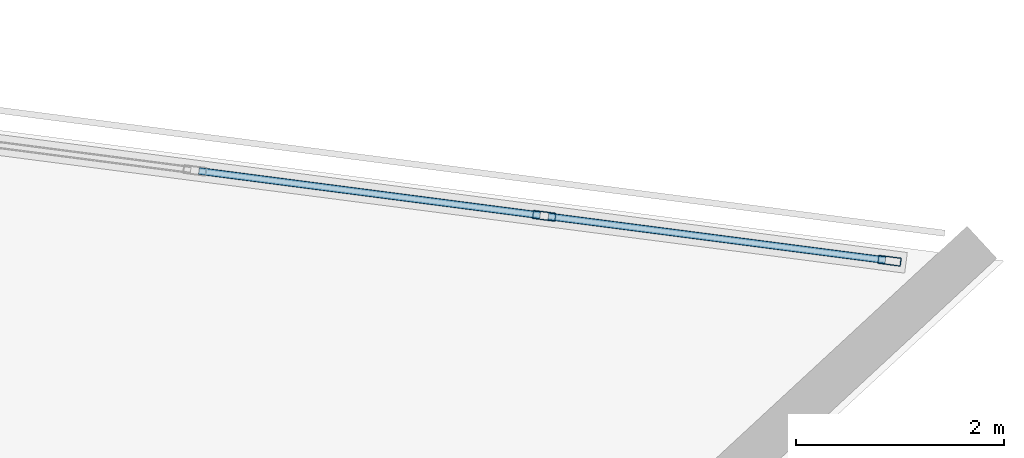
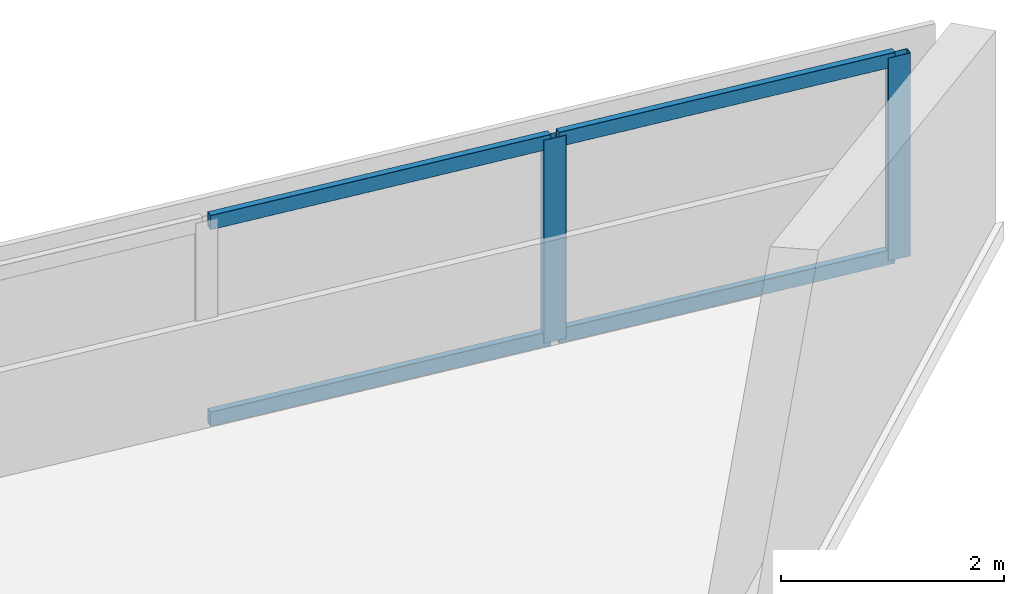
# One storey, part 7 of 12: 6 members, 1 element without a shape of its own.
"""IFC4 building model written with IfcOpenShell, lengths in metres."""

from ifc_helpers import new_model, si_unit, direction, frame, origin, origin_2d, place, context, subcontext, project, spatial, hollow_rectangle, extrude, material, material_profile, profile_set, type_object, element, aggregate, save


model = new_model("IFC4")

# Units and contexts
model_context = context("Model", 3, precision=1e-05, world=origin(), true_north=direction((0.0, 1.0)))
body_context = subcontext(model_context, "Body", "Model", "MODEL_VIEW")
ifc_project = project(units=[si_unit("LENGTHUNIT", "METRE"), si_unit("AREAUNIT", "SQUARE_METRE"), si_unit("VOLUMEUNIT", "CUBIC_METRE"), si_unit("PLANEANGLEUNIT", "RADIAN"), si_unit("MASSUNIT", "GRAM", prefix="KILO")], contexts=[model_context])

# Site, building, storey
site_placement = place(None, origin())
site = spatial("IfcSite", under=ifc_project, at=site_placement, CompositionType="ELEMENT")
building_placement = place(site_placement, origin())
building = spatial("IfcBuilding", under=site, at=building_placement, Name="Narakoshi Arena Tower", CompositionType="ELEMENT")
storey_placement = place(building_placement, frame((0.0, 0.0, 307.780029296875)))
storey = spatial("IfcBuildingStorey", under=building, at=storey_placement, Name="L83", CompositionType="ELEMENT", Elevation=307.780029296875)

# Curtain wall, members
ifc_material = material(Name="Anodised bronze aluminium 6063-T6", Category="aluminium")
curtain_wall_type = type_object("IfcCurtainWallType", Name="CW-CRN-FACET", PredefinedType="NOTDEFINED", material=ifc_material)
curtain_wall_placement = place(storey_placement, origin())
curtain_wall = element("IfcCurtainWall", 1, at=curtain_wall_placement, inside=storey, type_object=curtain_wall_type, Name="L83 Slanted-Cut Crown Curtain Wall 8-1", PredefinedType="NOTDEFINED")
ifc_material_profile_1 = material_profile(ifc_material, hollow_rectangle(XDim=0.080078125, YDim=0.219970703125, WallThickness=0.0048828125, OuterFilletRadius=0.006103515625, at=origin_2d()), Name="MUL220x80x5")
ifc_profile_set_1 = profile_set([ifc_material_profile_1], Name="Anodised bronze aluminium 6063-T6")
member_type_1 = type_object("IfcMemberType", Name="MEM-MUL-220", PredefinedType="MULLION", material=ifc_profile_set_1)
member_1_placement = place(storey_placement, frame((106.801025390625, 60.939697265625, 0.0), z_axis=(0.0, 0.0, 1.0), x_axis=(0.128889528611, 0.991658958218, 0.0)))
member_1 = element("IfcMember", 2, at=member_1_placement, type_object=member_type_1, Name="CW-06 mullion 7", PredefinedType="MULLION", context=body_context, shape_type="SweptSolid", body=[
    extrude(hollow_rectangle(XDim=0.080078125, YDim=0.219970703125, WallThickness=0.0048828125, OuterFilletRadius=0.006103515625, at=origin_2d()), origin(), (0.0, 0.0, 1.0), 2.2216796875),
])
member_2_placement = place(storey_placement, frame((110.116455078125, 60.5087890625, 0.0), z_axis=(0.0, 0.0, 1.0), x_axis=(0.128889528611, 0.991658958218, 0.0)))
member_2 = element("IfcMember", 3, at=member_2_placement, type_object=member_type_1, Name="CW-06 mullion 8", PredefinedType="MULLION", context=body_context, shape_type="SweptSolid", body=[
    extrude(hollow_rectangle(XDim=0.080078125, YDim=0.219970703125, WallThickness=0.0048828125, OuterFilletRadius=0.006103515625, at=origin_2d()), origin(), (0.0, 0.0, 1.0), 2.2216796875),
])
ifc_material_profile_2 = material_profile(ifc_material, hollow_rectangle(XDim=0.070068359375, YDim=0.159912109375, WallThickness=0.00390625, OuterFilletRadius=0.0048828125, at=origin_2d()), Name="TRN160x70x4")
ifc_profile_set_2 = profile_set([ifc_material_profile_2], Name="Anodised bronze aluminium 6063-T6")
member_type_2 = type_object("IfcMemberType", Name="MEM-TRN-160", PredefinedType="USERDEFINED", material=ifc_profile_set_2)
member_3_placement = place(storey_placement, frame((103.485595703125, 61.37060546875, 0.034912109375), z_axis=(0.99165760145, -0.128899966977, 0.0), x_axis=(0.128899966977, 0.99165760145, 0.0)))
member_3 = element("IfcMember", 4, at=member_3_placement, type_object=member_type_2, Name="CW-06 transom 6.1", ObjectType="TRANSOM", PredefinedType="USERDEFINED", context=body_context, shape_type="SweptSolid", body=[
    extrude(hollow_rectangle(XDim=0.070068359375, YDim=0.159912109375, WallThickness=0.00390625, OuterFilletRadius=0.0048828125, at=origin_2d()), origin(), (0.0, 0.0, 1.0), 3.30322265625),
])
member_4_placement = place(storey_placement, frame((103.485595703125, 61.37060546875, 2.186767578125), z_axis=(0.99165760145, -0.128899966977, 0.0), x_axis=(0.128899966977, 0.99165760145, 0.0)))
member_4 = element("IfcMember", 5, at=member_4_placement, type_object=member_type_2, Name="CW-06 transom 6.2", ObjectType="TRANSOM", PredefinedType="USERDEFINED", context=body_context, shape_type="SweptSolid", body=[
    extrude(hollow_rectangle(XDim=0.070068359375, YDim=0.159912109375, WallThickness=0.00390625, OuterFilletRadius=0.0048828125, at=origin_2d()), origin(), (0.0, 0.0, 1.0), 3.30322265625),
])
member_5_placement = place(storey_placement, frame((106.840576171875, 60.9345703125, 0.034912109375), z_axis=(0.991658294896, -0.128894632024, 0.0), x_axis=(0.128894632024, 0.991658294896, 0.0)))
member_5 = element("IfcMember", 6, at=member_5_placement, type_object=member_type_2, Name="CW-06 transom 7.1", ObjectType="TRANSOM", PredefinedType="USERDEFINED", context=body_context, shape_type="SweptSolid", body=[
    extrude(hollow_rectangle(XDim=0.070068359375, YDim=0.159912109375, WallThickness=0.00390625, OuterFilletRadius=0.0048828125, at=origin_2d()), origin(), (0.0, 0.0, 1.0), 3.263671875),
])
member_6_placement = place(storey_placement, frame((106.840576171875, 60.9345703125, 2.186767578125), z_axis=(0.991658294896, -0.128894632024, 0.0), x_axis=(0.128894632024, 0.991658294896, 0.0)))
member_6 = element("IfcMember", 7, at=member_6_placement, type_object=member_type_2, Name="CW-06 transom 7.2", ObjectType="TRANSOM", PredefinedType="USERDEFINED", context=body_context, shape_type="SweptSolid", body=[
    extrude(hollow_rectangle(XDim=0.070068359375, YDim=0.159912109375, WallThickness=0.00390625, OuterFilletRadius=0.0048828125, at=origin_2d()), origin(), (0.0, 0.0, 1.0), 3.263671875),
])
aggregate(curtain_wall, [member_1, member_2, member_3, member_4, member_5, member_6])

save(model, "model.ifc")
